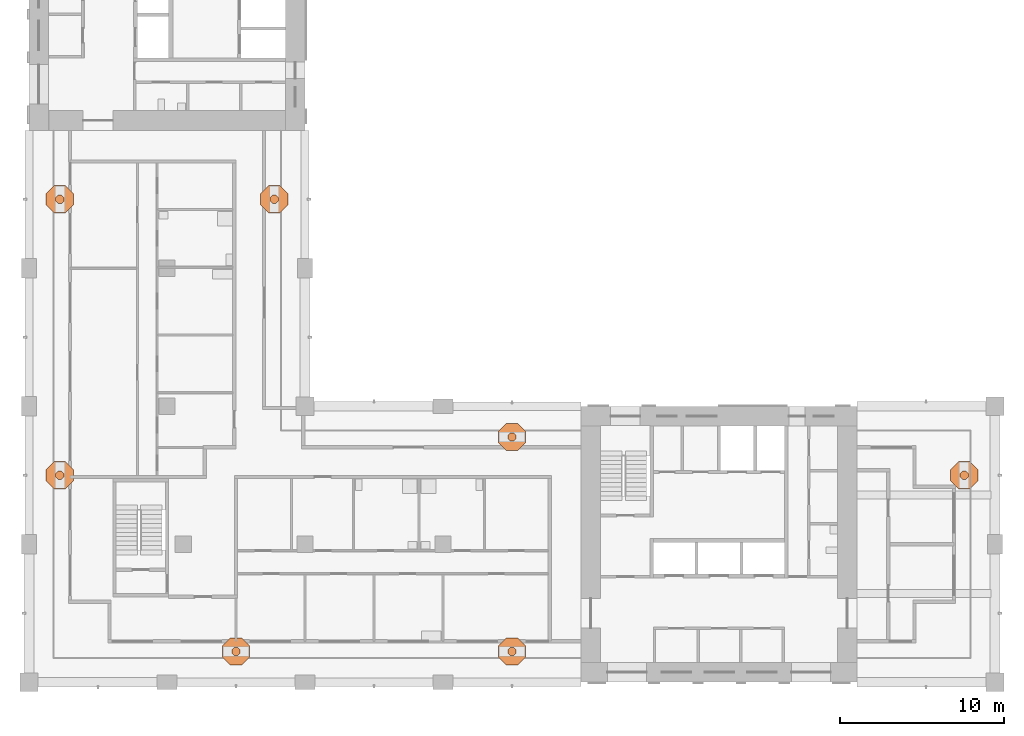
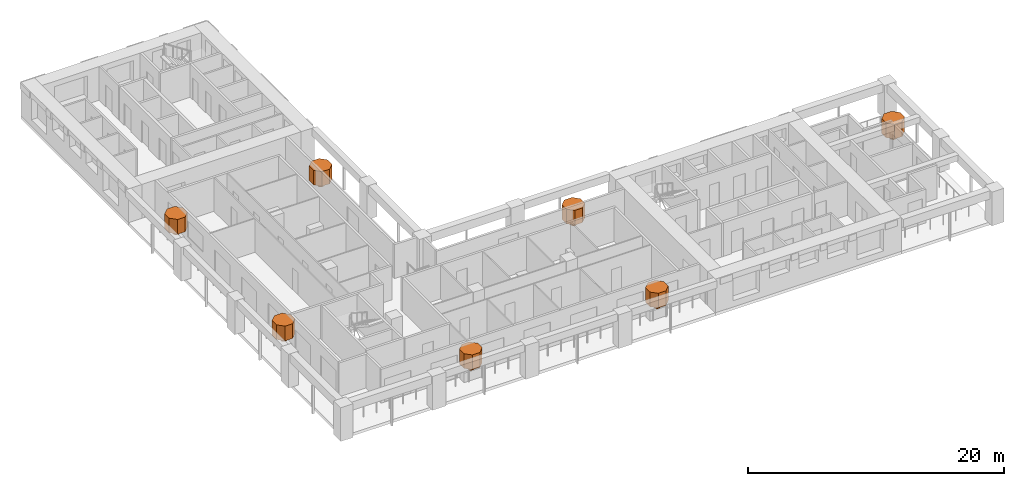
# One storey, part 13 of 13: 14 geographic elements.
"""IFC4 building model written with IfcOpenShell, lengths in metres."""

from ifc_helpers import new_model, si_unit, direction, frame, origin, place, context, subcontext, project, spatial, polyline, outline, extrude, material, element, save


model = new_model("IFC4")

# Units and contexts
model_context = context("Model", 3, precision=1e-05, world=origin(), true_north=direction((0.0, 1.0)))
body_context = subcontext(model_context, "Body", "Model", "MODEL_VIEW")
ifc_project = project(units=[si_unit("LENGTHUNIT", "METRE"), si_unit("AREAUNIT", "SQUARE_METRE"), si_unit("VOLUMEUNIT", "CUBIC_METRE"), si_unit("PLANEANGLEUNIT", "RADIAN"), si_unit("MASSUNIT", "GRAM", prefix="KILO")], contexts=[model_context])

# Site, building, storey
site_placement = place(None, origin())
site = spatial("IfcSite", under=ifc_project, at=site_placement, CompositionType="ELEMENT")
building_placement = place(site_placement, origin())
building = spatial("IfcBuilding", under=site, at=building_placement, Name="Vermilion Gate Residences", CompositionType="ELEMENT")
storey_placement = place(building_placement, frame((0.0, 0.0, 196.699951171875)))
storey = spatial("IfcBuildingStorey", under=building, at=storey_placement, Name="L51", CompositionType="ELEMENT", Elevation=196.699951171875)

# Geographic elements
ifc_material = material(Name="Foliage")
geographic_element_1_placement = place(storey_placement, frame((0.0, 0.0, 0.900146484375)))
element("IfcGeographicElement", 1, at=geographic_element_1_placement, inside=storey, material=ifc_material, Name="Tree (maple)", ObjectType="TREE", PredefinedType="USERDEFINED", context=body_context, shape_type="SweptSolid", body=[
    extrude(outline(polyline([(21.254150390625, 10.380126953125), (21.105224609375, 10.529052734375), (20.894775390625, 10.529052734375), (20.745849609375, 10.380126953125), (20.745849609375, 10.169921875), (20.894775390625, 10.02099609375), (21.105224609375, 10.02099609375), (21.254150390625, 10.169921875), (21.254150390625, 10.380126953125)])), origin(), (0.0, 0.0, 1.0), 0.52001953125),
])
geographic_element_2_placement = place(storey_placement, frame((0.0, 0.0, 1.420166015625)))
element("IfcGeographicElement", 2, at=geographic_element_2_placement, inside=storey, material=ifc_material, Name="Tree crown (maple)", ObjectType="TREE", PredefinedType="USERDEFINED", context=body_context, shape_type="SweptSolid", body=[
    extrude(outline(polyline([(21.83154296875, 10.619384765625), (21.344482421875, 11.1064453125), (20.655517578125, 11.1064453125), (20.16845703125, 10.619384765625), (20.16845703125, 9.9306640625), (20.655517578125, 9.443603515625), (21.344482421875, 9.443603515625), (21.83154296875, 9.9306640625), (21.83154296875, 10.619384765625)])), origin(), (0.0, 0.0, 1.0), 1.39990234375),
])
geographic_element_3_placement = place(storey_placement, frame((0.0, 0.0, 0.900146484375)))
element("IfcGeographicElement", 3, at=geographic_element_3_placement, inside=storey, material=ifc_material, Name="Tree (black pine)", ObjectType="TREE", PredefinedType="USERDEFINED", context=body_context, shape_type="SweptSolid", body=[
    extrude(outline(polyline([(38.05419921875, 10.380126953125), (37.9052734375, 10.529052734375), (37.69482421875, 10.529052734375), (37.5458984375, 10.380126953125), (37.5458984375, 10.169921875), (37.69482421875, 10.02099609375), (37.9052734375, 10.02099609375), (38.05419921875, 10.169921875), (38.05419921875, 10.380126953125)])), origin(), (0.0, 0.0, 1.0), 0.52001953125),
])
geographic_element_4_placement = place(storey_placement, frame((0.0, 0.0, 1.420166015625)))
element("IfcGeographicElement", 4, at=geographic_element_4_placement, inside=storey, material=ifc_material, Name="Tree crown (black pine)", ObjectType="TREE", PredefinedType="USERDEFINED", context=body_context, shape_type="SweptSolid", body=[
    extrude(outline(polyline([(38.631591796875, 10.619384765625), (38.144287109375, 11.1064453125), (37.45556640625, 11.1064453125), (36.968505859375, 10.619384765625), (36.968505859375, 9.9306640625), (37.45556640625, 9.443603515625), (38.144287109375, 9.443603515625), (38.631591796875, 9.9306640625), (38.631591796875, 10.619384765625)])), origin(), (0.0, 0.0, 1.0), 1.39990234375),
])
geographic_element_5_placement = place(storey_placement, frame((0.0, 0.0, 0.900146484375)))
element("IfcGeographicElement", 5, at=geographic_element_5_placement, inside=storey, material=ifc_material, Name="Tree (maple)", ObjectType="TREE", PredefinedType="USERDEFINED", context=body_context, shape_type="SweptSolid", body=[
    extrude(outline(polyline([(65.5791015625, 21.105224609375), (65.43017578125, 21.254150390625), (65.2197265625, 21.254150390625), (65.07080078125, 21.105224609375), (65.07080078125, 20.894775390625), (65.2197265625, 20.745849609375), (65.43017578125, 20.745849609375), (65.5791015625, 20.894775390625), (65.5791015625, 21.105224609375)])), origin(), (0.0, 0.0, 1.0), 0.52001953125),
])
geographic_element_6_placement = place(storey_placement, frame((0.0, 0.0, 1.420166015625)))
element("IfcGeographicElement", 6, at=geographic_element_6_placement, inside=storey, material=ifc_material, Name="Tree crown (maple)", ObjectType="TREE", PredefinedType="USERDEFINED", context=body_context, shape_type="SweptSolid", body=[
    extrude(outline(polyline([(66.156494140625, 21.344482421875), (65.66943359375, 21.83154296875), (64.980712890625, 21.83154296875), (64.493408203125, 21.344482421875), (64.493408203125, 20.655517578125), (64.980712890625, 20.16845703125), (65.66943359375, 20.16845703125), (66.156494140625, 20.655517578125), (66.156494140625, 21.344482421875)])), origin(), (0.0, 0.0, 1.0), 1.39990234375),
])
geographic_element_7_placement = place(storey_placement, frame((0.0, 0.0, 0.900146484375)))
element("IfcGeographicElement", 7, at=geographic_element_7_placement, inside=storey, material=ifc_material, Name="Tree (black pine)", ObjectType="TREE", PredefinedType="USERDEFINED", context=body_context, shape_type="SweptSolid", body=[
    extrude(outline(polyline([(38.05419921875, 23.43017578125), (37.9052734375, 23.5791015625), (37.69482421875, 23.5791015625), (37.5458984375, 23.43017578125), (37.5458984375, 23.2197265625), (37.69482421875, 23.07080078125), (37.9052734375, 23.07080078125), (38.05419921875, 23.2197265625), (38.05419921875, 23.43017578125)])), origin(), (0.0, 0.0, 1.0), 0.52001953125),
])
geographic_element_8_placement = place(storey_placement, frame((0.0, 0.0, 1.420166015625)))
element("IfcGeographicElement", 8, at=geographic_element_8_placement, inside=storey, material=ifc_material, Name="Tree crown (black pine)", ObjectType="TREE", PredefinedType="USERDEFINED", context=body_context, shape_type="SweptSolid", body=[
    extrude(outline(polyline([(38.631591796875, 23.66943359375), (38.144287109375, 24.156494140625), (37.45556640625, 24.156494140625), (36.968505859375, 23.66943359375), (36.968505859375, 22.980712890625), (37.45556640625, 22.493408203125), (38.144287109375, 22.493408203125), (38.631591796875, 22.980712890625), (38.631591796875, 23.66943359375)])), origin(), (0.0, 0.0, 1.0), 1.39990234375),
])
geographic_element_9_placement = place(storey_placement, frame((0.0, 0.0, 0.900146484375)))
element("IfcGeographicElement", 9, at=geographic_element_9_placement, inside=storey, material=ifc_material, Name="Tree (black pine)", ObjectType="TREE", PredefinedType="USERDEFINED", context=body_context, shape_type="SweptSolid", body=[
    extrude(outline(polyline([(23.5791015625, 37.9052734375), (23.43017578125, 38.05419921875), (23.2197265625, 38.05419921875), (23.07080078125, 37.9052734375), (23.07080078125, 37.69482421875), (23.2197265625, 37.5458984375), (23.43017578125, 37.5458984375), (23.5791015625, 37.69482421875), (23.5791015625, 37.9052734375)])), origin(), (0.0, 0.0, 1.0), 0.52001953125),
])
geographic_element_10_placement = place(storey_placement, frame((0.0, 0.0, 1.420166015625)))
element("IfcGeographicElement", 10, at=geographic_element_10_placement, inside=storey, material=ifc_material, Name="Tree crown (black pine)", ObjectType="TREE", PredefinedType="USERDEFINED", context=body_context, shape_type="SweptSolid", body=[
    extrude(outline(polyline([(24.156494140625, 38.144287109375), (23.66943359375, 38.631591796875), (22.980712890625, 38.631591796875), (22.493408203125, 38.144287109375), (22.493408203125, 37.45556640625), (22.980712890625, 36.968505859375), (23.66943359375, 36.968505859375), (24.156494140625, 37.45556640625), (24.156494140625, 38.144287109375)])), origin(), (0.0, 0.0, 1.0), 1.39990234375),
])
geographic_element_11_placement = place(storey_placement, frame((0.0, 0.0, 0.900146484375)))
element("IfcGeographicElement", 11, at=geographic_element_11_placement, inside=storey, material=ifc_material, Name="Tree (maple)", ObjectType="TREE", PredefinedType="USERDEFINED", context=body_context, shape_type="SweptSolid", body=[
    extrude(outline(polyline([(10.529052734375, 21.105224609375), (10.380126953125, 21.254150390625), (10.169921875, 21.254150390625), (10.02099609375, 21.105224609375), (10.02099609375, 20.894775390625), (10.169921875, 20.745849609375), (10.380126953125, 20.745849609375), (10.529052734375, 20.894775390625), (10.529052734375, 21.105224609375)])), origin(), (0.0, 0.0, 1.0), 0.52001953125),
])
geographic_element_12_placement = place(storey_placement, frame((0.0, 0.0, 1.420166015625)))
element("IfcGeographicElement", 12, at=geographic_element_12_placement, inside=storey, material=ifc_material, Name="Tree crown (maple)", ObjectType="TREE", PredefinedType="USERDEFINED", context=body_context, shape_type="SweptSolid", body=[
    extrude(outline(polyline([(11.1064453125, 21.344482421875), (10.619384765625, 21.83154296875), (9.9306640625, 21.83154296875), (9.443603515625, 21.344482421875), (9.443603515625, 20.655517578125), (9.9306640625, 20.16845703125), (10.619384765625, 20.16845703125), (11.1064453125, 20.655517578125), (11.1064453125, 21.344482421875)])), origin(), (0.0, 0.0, 1.0), 1.39990234375),
])
geographic_element_13_placement = place(storey_placement, frame((0.0, 0.0, 0.900146484375)))
element("IfcGeographicElement", 13, at=geographic_element_13_placement, inside=storey, material=ifc_material, Name="Tree (black pine)", ObjectType="TREE", PredefinedType="USERDEFINED", context=body_context, shape_type="SweptSolid", body=[
    extrude(outline(polyline([(10.529052734375, 37.9052734375), (10.380126953125, 38.05419921875), (10.169921875, 38.05419921875), (10.02099609375, 37.9052734375), (10.02099609375, 37.69482421875), (10.169921875, 37.5458984375), (10.380126953125, 37.5458984375), (10.529052734375, 37.69482421875), (10.529052734375, 37.9052734375)])), origin(), (0.0, 0.0, 1.0), 0.52001953125),
])
geographic_element_14_placement = place(storey_placement, frame((0.0, 0.0, 1.420166015625)))
element("IfcGeographicElement", 14, at=geographic_element_14_placement, inside=storey, material=ifc_material, Name="Tree crown (black pine)", ObjectType="TREE", PredefinedType="USERDEFINED", context=body_context, shape_type="SweptSolid", body=[
    extrude(outline(polyline([(11.1064453125, 38.144287109375), (10.619384765625, 38.631591796875), (9.9306640625, 38.631591796875), (9.443603515625, 38.144287109375), (9.443603515625, 37.45556640625), (9.9306640625, 36.968505859375), (10.619384765625, 36.968505859375), (11.1064453125, 37.45556640625), (11.1064453125, 38.144287109375)])), origin(), (0.0, 0.0, 1.0), 1.39990234375),
])

save(model, "model.ifc")
